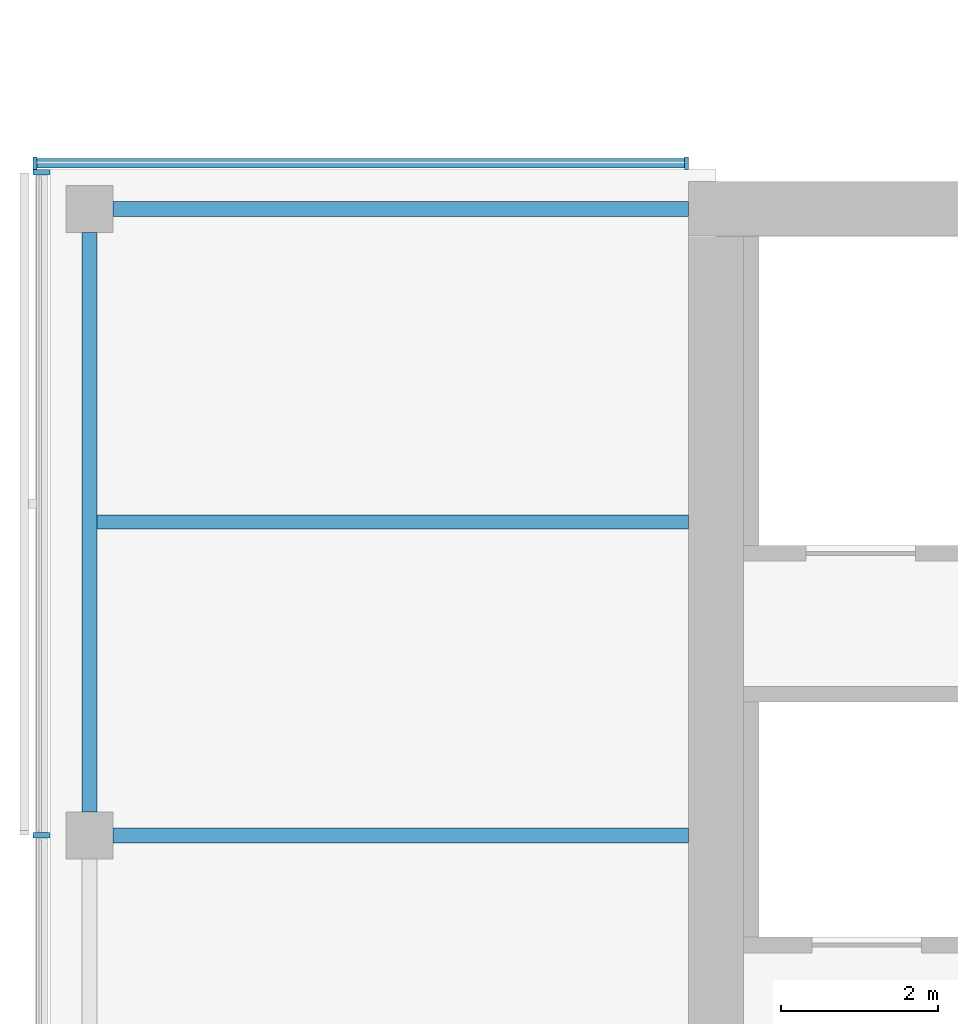
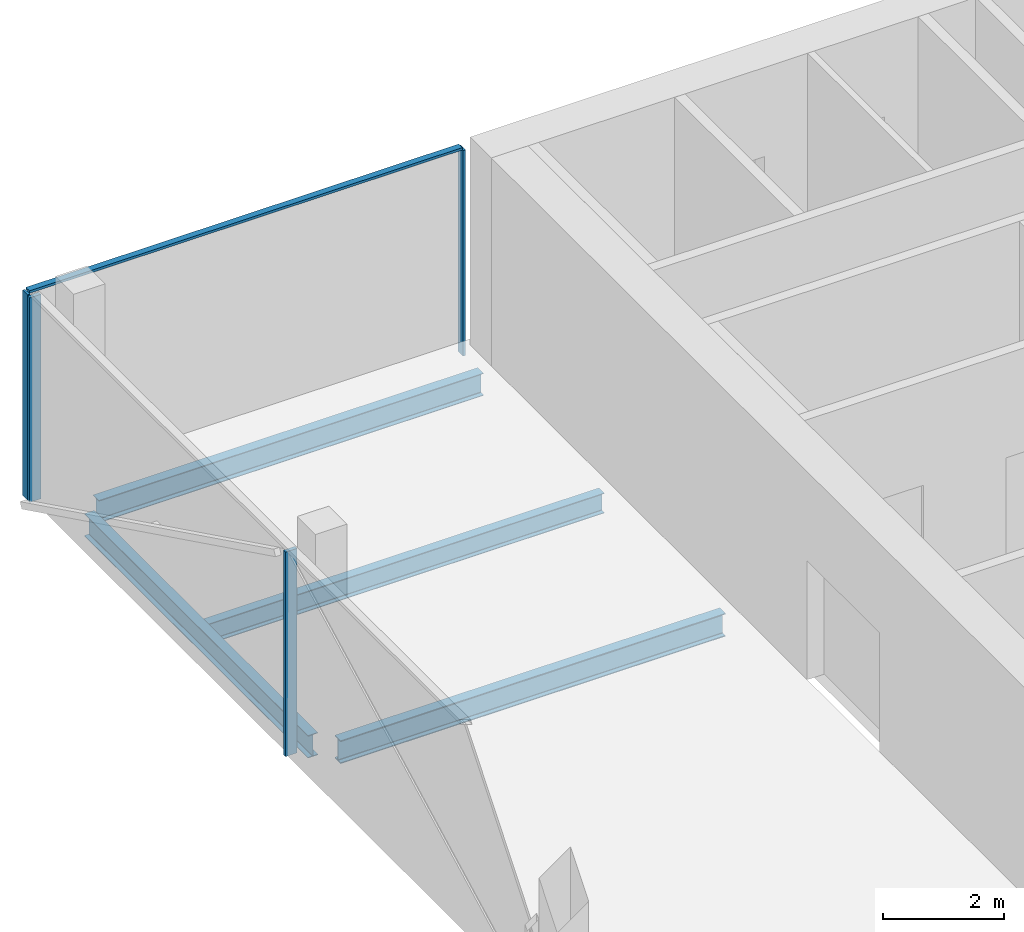
# One storey, part 7 of 22: 5 members, 4 beams, 2 elements without a shape of their own.
"""IFC4 building model written with IfcOpenShell, lengths in metres."""

from ifc_helpers import new_model, si_unit, direction, frame, origin, origin_2d, place, context, subcontext, project, spatial, rectangle, i_section, extrude, material, material_profile, profile_set, type_object, element, aggregate, save


model = new_model("IFC4")

# Units and contexts
model_context = context("Model", 3, precision=1e-05, world=origin(), true_north=direction((0.0, 1.0)))
body_context = subcontext(model_context, "Body", "Model", "MODEL_VIEW")
ifc_project = project(units=[si_unit("LENGTHUNIT", "METRE"), si_unit("AREAUNIT", "SQUARE_METRE"), si_unit("VOLUMEUNIT", "CUBIC_METRE"), si_unit("PLANEANGLEUNIT", "RADIAN"), si_unit("MASSUNIT", "GRAM", prefix="KILO")], contexts=[model_context])

# Site, building, storey
site_placement = place(None, origin())
site = spatial("IfcSite", under=ifc_project, at=site_placement, CompositionType="ELEMENT")
building_placement = place(site_placement, origin())
building = spatial("IfcBuilding", under=site, at=building_placement, Name="Crosswind Convention Tower", CompositionType="ELEMENT")
storey_placement = place(building_placement, frame((0.0, 0.0, 146.300048828125)))
storey = spatial("IfcBuildingStorey", under=building, at=storey_placement, Name="L30", CompositionType="ELEMENT", Elevation=146.300048828125)

# Beams
ifc_material_1 = material(Name="Steel S355", Category="steel")
ifc_material_profile_1 = material_profile(ifc_material_1, i_section(OverallWidth=0.18994140625, OverallDepth=0.45361328125, WebThickness=0.008544921875, FlangeThickness=0.0126953125, FilletRadius=0.01025390625, at=origin_2d()), Name="UB 457x191x67")
ifc_profile_set_1 = profile_set([ifc_material_profile_1], Name="Steel S355")
beam_type_1 = type_object("IfcBeamType", Name="Edge beam UB 457x191x67", PredefinedType="SPANDREL", material=ifc_profile_set_1)
beam_1_placement = place(storey_placement, frame((89.0, 104.300048828125, -0.52685546875), z_axis=(0.0, 1.0, 0.0), x_axis=(-1.0, 0.0, 0.0)))
element("IfcBeam", 1, at=beam_1_placement, inside=storey, type_object=beam_type_1, Name="B16 L30 edge beam 3", PredefinedType="SPANDREL", context=body_context, shape_type="SweptSolid", body=[
    extrude(i_section(OverallWidth=0.18994140625, OverallDepth=0.45361328125, WebThickness=0.008544921875, FlangeThickness=0.0126953125, FilletRadius=0.01025390625, at=origin_2d()), origin(), (0.0, 0.0, 1.0), 7.39990234375),
])
beam_2_placement = place(storey_placement, frame((89.300048828125, 112.0, -0.52685546875), z_axis=(1.0, 0.0, 0.0), x_axis=(0.0, 1.0, 0.0)))
element("IfcBeam", 2, at=beam_2_placement, inside=storey, type_object=beam_type_1, Name="B16 L30 edge beam 5", PredefinedType="SPANDREL", context=body_context, shape_type="SweptSolid", body=[
    extrude(i_section(OverallWidth=0.18994140625, OverallDepth=0.45361328125, WebThickness=0.008544921875, FlangeThickness=0.0126953125, FilletRadius=0.01025390625, at=origin_2d()), origin(), (0.0, 0.0, 1.0), 7.349853515625),
])
ifc_material_profile_2 = material_profile(ifc_material_1, i_section(OverallWidth=0.19189453125, OverallDepth=0.463623046875, WebThickness=0.010498046875, FlangeThickness=0.017578125, FilletRadius=0.01025390625, at=origin_2d()), Name="UB 457x191x90")
ifc_profile_set_2 = profile_set([ifc_material_profile_2], Name="Steel S355")
beam_type_2 = type_object("IfcBeamType", Name="Girder at core wall UB 457x191x90", PredefinedType="BEAM", material=ifc_profile_set_2)
beam_3_placement = place(storey_placement, frame((89.300048828125, 104.0, -0.53173828125), z_axis=(1.0, 0.0, 0.0), x_axis=(0.0, 1.0, 0.0)))
element("IfcBeam", 3, at=beam_3_placement, inside=storey, type_object=beam_type_2, Name="B24 L30 girder at core wall 2", PredefinedType="BEAM", context=body_context, shape_type="SweptSolid", body=[
    extrude(i_section(OverallWidth=0.19189453125, OverallDepth=0.463623046875, WebThickness=0.010498046875, FlangeThickness=0.017578125, FilletRadius=0.01025390625, at=origin_2d()), origin(), (0.0, 0.0, 1.0), 7.349853515625),
])

# Curtain wall, members
ifc_material_2 = material(Name="Aluminium unitised curtain wall", Category="aluminium")
curtain_wall_type_1 = type_object("IfcCurtainWallType", Name="CORE END SLOT WALL 160", PredefinedType="USERDEFINED", material=ifc_material_2)
curtain_wall_1_placement = place(storey_placement, origin())
curtain_wall_1 = element("IfcCurtainWall", 4, at=curtain_wall_1_placement, inside=storey, type_object=curtain_wall_type_1, Name="CW6 L30 W-N.2-1 slot", ObjectType="UNITISED", PredefinedType="USERDEFINED")
ifc_material_3 = material(Name="Aluminium mullion", Category="aluminium")
ifc_material_profile_3 = material_profile(ifc_material_3, rectangle(XDim=0.159912109375, YDim=0.050048828125, at=origin_2d()), Name="AL 160X50")
ifc_profile_set_3 = profile_set([ifc_material_profile_3], Name="Aluminium mullion")
member_type_1 = type_object("IfcMemberType", Name="MULLION 50X160", PredefinedType="MULLION", material=ifc_profile_set_3)
member_1_placement = place(storey_placement, frame((96.625, 112.580078125, -0.300048828125), z_axis=(0.0, 0.0, 1.0), x_axis=(0.0, 1.0, 0.0)))
member_1 = element("IfcMember", 5, at=member_1_placement, type_object=member_type_1, Name="CW6 mullion 1", PredefinedType="MULLION", context=body_context, shape_type="SweptSolid", body=[
    extrude(rectangle(XDim=0.159912109375, YDim=0.050048828125, at=origin_2d()), origin(), (0.0, 0.0, 1.0), 4.14990234375),
])
member_2_placement = place(storey_placement, frame((88.304931640625, 112.580078125, -0.300048828125), z_axis=(0.0, 0.0, 1.0), x_axis=(0.0, 1.0, 0.0)))
member_2 = element("IfcMember", 6, at=member_2_placement, type_object=member_type_1, Name="CW6 mullion 2", PredefinedType="MULLION", context=body_context, shape_type="SweptSolid", body=[
    extrude(rectangle(XDim=0.159912109375, YDim=0.050048828125, at=origin_2d()), origin(), (0.0, 0.0, 1.0), 4.14990234375),
])

curtain_wall_type_2 = type_object("IfcCurtainWallType", Name="OFFICE UNITISED WALL 220", PredefinedType="USERDEFINED", material=ifc_material_2)
curtain_wall_2_placement = place(storey_placement, origin())
curtain_wall_2 = element("IfcCurtainWall", 7, at=curtain_wall_2_placement, inside=storey, type_object=curtain_wall_type_2, Name="CW3 L30 W-TIP 1", ObjectType="UNITISED", PredefinedType="USERDEFINED")
ifc_material_profile_4 = material_profile(ifc_material_3, rectangle(XDim=0.219970703125, YDim=0.070068359375, at=origin_2d()), Name="AL 220X70")
ifc_profile_set_4 = profile_set([ifc_material_profile_4], Name="Aluminium mullion")
member_type_2 = type_object("IfcMemberType", Name="MULLION 70X220", PredefinedType="MULLION", material=ifc_profile_set_4)
member_3_placement = place(storey_placement, frame((88.389892578125, 112.465087890625, -0.300048828125), z_axis=(0.0, 0.0, 1.0), x_axis=(-1.0, 0.0, 0.0)))
member_3 = element("IfcMember", 8, at=member_3_placement, type_object=member_type_2, Name="CW3 mullion 1", PredefinedType="MULLION", context=body_context, shape_type="SweptSolid", body=[
    extrude(rectangle(XDim=0.219970703125, YDim=0.070068359375, at=origin_2d()), origin(), (0.0, 0.0, 1.0), 4.1298828125),
])
member_4_placement = place(storey_placement, frame((88.389892578125, 104.0, -0.300048828125), z_axis=(0.0, 0.0, 1.0), x_axis=(-1.0, 0.0, 0.0)))
member_4 = element("IfcMember", 9, at=member_4_placement, type_object=member_type_2, Name="CW3 mullion 2", PredefinedType="MULLION", context=body_context, shape_type="SweptSolid", body=[
    extrude(rectangle(XDim=0.219970703125, YDim=0.070068359375, at=origin_2d()), origin(), (0.0, 0.0, 1.0), 4.1298828125),
])
aggregate(curtain_wall_2, [member_3, member_4])

# Beam
ifc_material_profile_5 = material_profile(ifc_material_1, i_section(OverallWidth=0.177734375, OverallDepth=0.406494140625, WebThickness=0.0078125, FlangeThickness=0.0126953125, FilletRadius=0.01025390625, at=origin_2d()), Name="UB 406x178x60")
ifc_profile_set_5 = profile_set([ifc_material_profile_5], Name="Steel S355")
beam_type_3 = type_object("IfcBeamType", Name="Secondary beam UB 406x178x60", PredefinedType="JOIST", material=ifc_profile_set_5)
beam_4_placement = place(storey_placement, frame((89.094970703125, 108.0, -0.503173828125), z_axis=(1.0, 0.0, 0.0), x_axis=(0.0, 1.0, 0.0)))
element("IfcBeam", 10, at=beam_4_placement, inside=storey, type_object=beam_type_3, Name="B10 L30 secondary beam 3", PredefinedType="JOIST", context=body_context, shape_type="SweptSolid", body=[
    extrude(i_section(OverallWidth=0.177734375, OverallDepth=0.406494140625, WebThickness=0.0078125, FlangeThickness=0.0126953125, FilletRadius=0.01025390625, at=origin_2d()), origin(), (0.0, 0.0, 1.0), 7.554931640625),
])

# Member
ifc_material_4 = material(Name="Aluminium transom", Category="aluminium")
ifc_material_profile_6 = material_profile(ifc_material_4, rectangle(XDim=0.1201171875, YDim=0.050048828125, at=origin_2d()), Name="AL 120X50")
ifc_profile_set_6 = profile_set([ifc_material_profile_6], Name="Aluminium transom")
member_type_3 = type_object("IfcMemberType", Name="TRANSOM 50X120", PredefinedType="USERDEFINED", material=ifc_profile_set_6)
member_5_placement = place(storey_placement, frame((96.60009765625, 112.580078125, 3.875), z_axis=(-1.0, 0.0, 0.0), x_axis=(0.0, -1.0, 0.0)))
member_5 = element("IfcMember", 11, at=member_5_placement, type_object=member_type_3, Name="CW6 transom", ObjectType="TRANSOM", PredefinedType="USERDEFINED", context=body_context, shape_type="SweptSolid", body=[
    extrude(rectangle(XDim=0.1201171875, YDim=0.050048828125, at=origin_2d()), origin(), (0.0, 0.0, 1.0), 8.27001953125),
])

aggregate(curtain_wall_1, [member_1, member_2, member_5])

save(model, "model.ifc")
